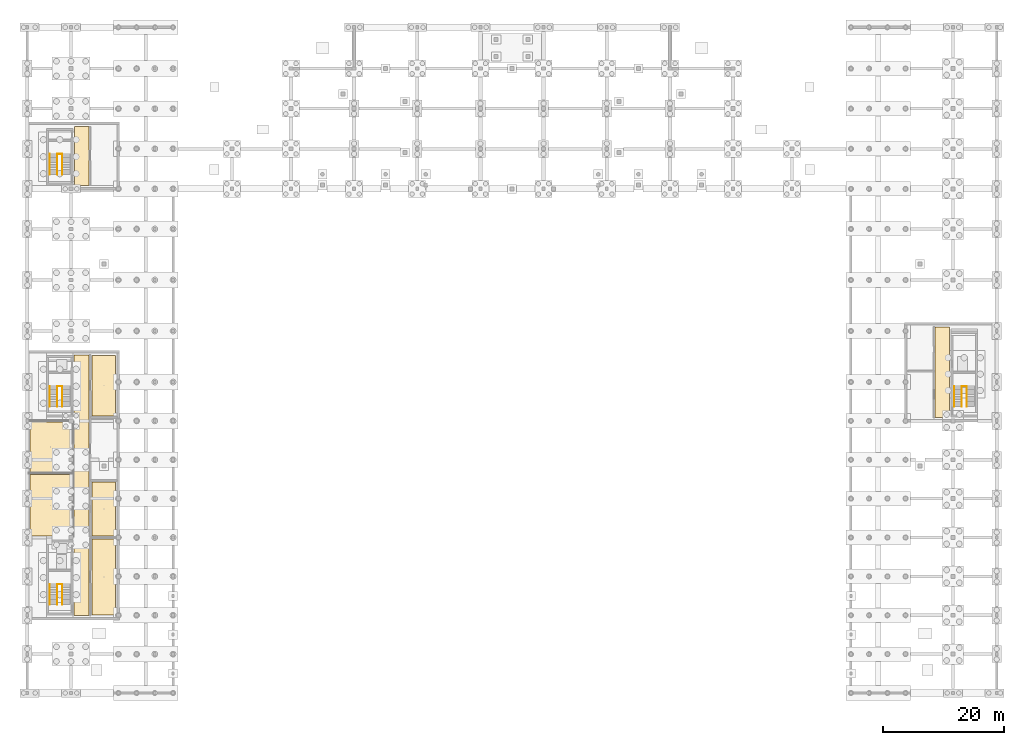
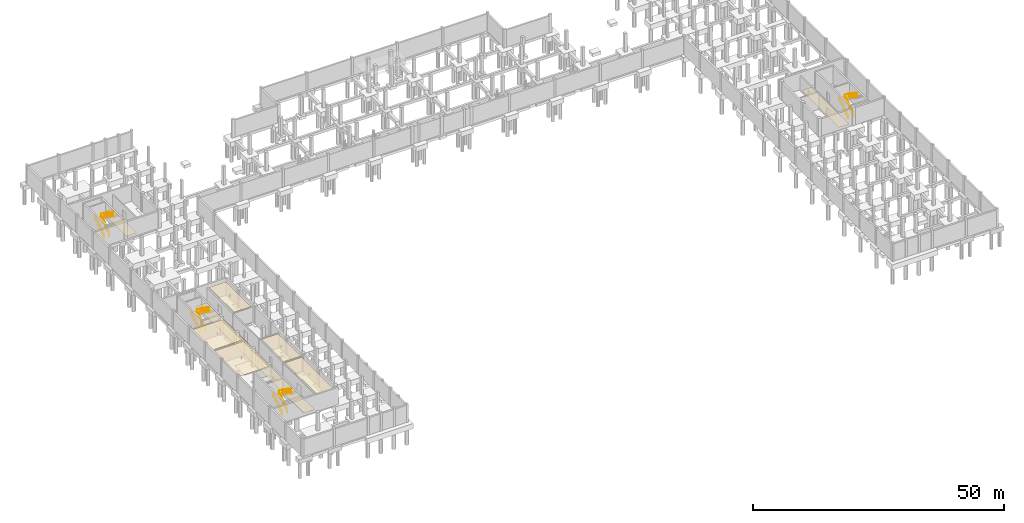
# One storey, part 20 of 21: 8 coverings, 8 railings.
"""IFC4 building model written with IfcOpenShell, lengths in metres."""

from ifc_helpers import new_model, si_unit, derived_unit, direction, frame, origin, origin_2d, place, context, subcontext, project, spatial, polyline, circle, outline, extrude, material, layer, layer_set, type_object, element, save


model = new_model("IFC4")

# Units and contexts
model_context = context("Model", 3, precision=1e-05, world=origin(), true_north=direction((0.0, 1.0)))
body_context = subcontext(model_context, "Body", "Model", "MODEL_VIEW")
ifc_project = project(units=[si_unit("LENGTHUNIT", "METRE"), si_unit("AREAUNIT", "SQUARE_METRE"), si_unit("VOLUMEUNIT", "CUBIC_METRE"), si_unit("PLANEANGLEUNIT", "RADIAN"), si_unit("MASSUNIT", "GRAM", prefix="KILO"), derived_unit("THERMALTRANSMITTANCEUNIT", [(si_unit("POWERUNIT", "WATT"), 1), (si_unit("LENGTHUNIT", "METRE"), -2), (si_unit("THERMODYNAMICTEMPERATUREUNIT", "KELVIN"), -1)])], contexts=[model_context])

# Site, building, storey
site_placement = place(None, origin())
site = spatial("IfcSite", under=ifc_project, at=site_placement, CompositionType="ELEMENT")
building_placement = place(site_placement, origin())
building = spatial("IfcBuilding", under=site, at=building_placement, Name="Braskholm Square Health Centre", CompositionType="ELEMENT")
storey_placement = place(building_placement, frame((0.0, 0.0, -4.5)))
storey = spatial("IfcBuildingStorey", under=building, at=storey_placement, Name="B01", CompositionType="ELEMENT", Elevation=-4.5)

# Coverings
ifc_material_1 = material(Name="Fire-rated gypsum board barrier")
ifc_layer_1 = layer(ifc_material_1, 0.02490234375)
ifc_layer_set_1 = layer_set([ifc_layer_1], Name="Fire-rated gypsum board barrier")
covering_type_1 = type_object("IfcCoveringType", Name="AcousticClinicalCeilingTile", PredefinedType="CEILING", material=ifc_layer_set_1)
covering_1_placement = place(storey_placement, frame((0.0, 0.0, 3.56494140625)))
element("IfcCovering", 1, at=covering_1_placement, inside=storey, type_object=covering_type_1, Name="Acoustic ceiling B01-002", PredefinedType="CEILING", context=body_context, shape_type="SweptSolid", body=[
    extrude(outline(polyline([(14.889892578125, 17.02001953125), (18.72998046875, 17.02001953125), (18.72998046875, 29.580078125), (14.889892578125, 29.580078125), (14.889892578125, 17.02001953125)])), origin(), (0.0, 0.0, 1.0), 0.025146484375),
])
covering_2_placement = place(storey_placement, frame((0.0, 0.0, 3.56494140625)))
element("IfcCovering", 2, at=covering_2_placement, inside=storey, type_object=covering_type_1, Name="Acoustic ceiling B01-003", PredefinedType="CEILING", context=body_context, shape_type="SweptSolid", body=[
    extrude(outline(polyline([(14.889892578125, 30.02001953125), (18.72998046875, 30.02001953125), (18.72998046875, 38.97998046875), (14.889892578125, 38.97998046875), (14.889892578125, 30.02001953125)])), origin(), (0.0, 0.0, 1.0), 0.025146484375),
])
covering_3_placement = place(storey_placement, frame((0.0, 0.0, 3.56494140625)))
element("IfcCovering", 3, at=covering_3_placement, inside=storey, type_object=covering_type_1, Name="Acoustic ceiling B01-005", PredefinedType="CEILING", context=body_context, shape_type="SweptSolid", body=[
    extrude(outline(polyline([(14.889892578125, 49.820068359375), (18.72998046875, 49.820068359375), (18.72998046875, 59.780029296875), (14.889892578125, 59.780029296875), (14.889892578125, 49.820068359375)])), origin(), (0.0, 0.0, 1.0), 0.025146484375),
])
covering_4_placement = place(storey_placement, frame((0.0, 0.0, 3.56494140625)))
element("IfcCovering", 4, at=covering_4_placement, inside=storey, type_object=covering_type_1, Name="Acoustic ceiling B01-006", PredefinedType="CEILING", context=body_context, shape_type="SweptSolid", body=[
    extrude(outline(polyline([(4.669921875, 30.02001953125), (11.409912109375, 30.02001953125), (11.409912109375, 40.179931640625), (4.669921875, 40.179931640625), (4.669921875, 30.02001953125)])), origin(), (0.0, 0.0, 1.0), 0.025146484375),
])
covering_5_placement = place(storey_placement, frame((0.0, 0.0, 3.56494140625)))
element("IfcCovering", 5, at=covering_5_placement, inside=storey, type_object=covering_type_1, Name="Acoustic ceiling B01-007", PredefinedType="CEILING", context=body_context, shape_type="SweptSolid", body=[
    extrude(outline(polyline([(4.669921875, 40.6201171875), (11.409912109375, 40.6201171875), (11.409912109375, 48.780029296875), (4.669921875, 48.780029296875), (4.669921875, 40.6201171875)])), origin(), (0.0, 0.0, 1.0), 0.025146484375),
])

# Railings
ifc_material_2 = material(Name="Dark patinated chevron architectural bronze", Category="aluminium")
railing_type_1 = type_object("IfcRailingType", Name="BronzeChevronGuardrail1100", PredefinedType="GUARDRAIL", material=ifc_material_2)
railing_1_placement = place(storey_placement, frame((9.1298828125, 18.760009765625, 0.0)))
element("IfcRailing", 6, at=railing_1_placement, inside=storey, type_object=railing_type_1, Name="Stair ST-01 inner well guardrail B01", PredefinedType="GUARDRAIL", context=body_context, shape_type="SweptSolid", body=[
    extrude(circle(Radius=0.02392578125, at=origin_2d()), frame((0.0, 0.0, 1.076171875), z_axis=(0.0, 0.830915400975, 0.556398774641), x_axis=(-1.0, 0.0, 0.0)), (0.0, 0.0, 1.0), 4.0439453125),
    extrude(circle(Radius=0.02392578125, at=origin_2d()), frame((0.0, 3.360107421875, 3.326171875), z_axis=(1.0, 0.0, 0.0), x_axis=(0.0, 1.0, 0.0)), (0.0, 0.0, 1.0), 0.840087890625),
    extrude(circle(Radius=0.02392578125, at=origin_2d()), frame((0.840087890625, 3.360107421875, 3.326171875), z_axis=(0.0, -0.830915400975, 0.556398774641), x_axis=(1.0, 0.0, 0.0)), (0.0, 0.0, 1.0), 4.0439453125),
    extrude(circle(Radius=0.02099609375, at=origin_2d()), origin(), (0.0, 0.0, 1.0), 1.052001953125),
    extrude(circle(Radius=0.02099609375, at=origin_2d()), frame((0.0, 0.840087890625, 0.5625)), (0.0, 0.0, 1.0), 1.052001953125),
    extrude(circle(Radius=0.02099609375, at=origin_2d()), frame((0.0, 1.68017578125, 1.125)), (0.0, 0.0, 1.0), 1.052001953125),
    extrude(circle(Radius=0.02099609375, at=origin_2d()), frame((0.0, 2.52001953125, 1.6875)), (0.0, 0.0, 1.0), 1.052001953125),
    extrude(circle(Radius=0.02099609375, at=origin_2d()), frame((0.0, 3.360107421875, 2.25)), (0.0, 0.0, 1.0), 1.052001953125),
    extrude(circle(Radius=0.02099609375, at=origin_2d()), frame((0.840087890625, 3.360107421875, 2.25)), (0.0, 0.0, 1.0), 1.052001953125),
    extrude(circle(Radius=0.02099609375, at=origin_2d()), frame((0.840087890625, 2.52001953125, 2.8125)), (0.0, 0.0, 1.0), 1.052001953125),
    extrude(circle(Radius=0.02099609375, at=origin_2d()), frame((0.840087890625, 1.68017578125, 3.375)), (0.0, 0.0, 1.0), 1.052001953125),
    extrude(circle(Radius=0.02099609375, at=origin_2d()), frame((0.840087890625, 0.840087890625, 3.9375)), (0.0, 0.0, 1.0), 1.052001953125),
    extrude(circle(Radius=0.02099609375, at=origin_2d()), frame((0.840087890625, 0.0, 4.5)), (0.0, 0.0, 1.0), 1.052001953125),
])
railing_2_placement = place(storey_placement, frame((9.1298828125, 51.360107421875, 0.0)))
element("IfcRailing", 7, at=railing_2_placement, inside=storey, type_object=railing_type_1, Name="Stair ST-02 inner well guardrail B01", PredefinedType="GUARDRAIL", context=body_context, shape_type="SweptSolid", body=[
    extrude(circle(Radius=0.02392578125, at=origin_2d()), frame((0.0, 0.0, 1.076171875), z_axis=(0.0, 0.830896709279, 0.556426687452), x_axis=(-1.0, 0.0, 0.0)), (0.0, 0.0, 1.0), 4.043701171875),
    extrude(circle(Radius=0.02392578125, at=origin_2d()), frame((0.0, 3.35986328125, 3.326171875), z_axis=(1.0, 0.0, 0.0), x_axis=(0.0, 1.0, 0.0)), (0.0, 0.0, 1.0), 0.840087890625),
    extrude(circle(Radius=0.02392578125, at=origin_2d()), frame((0.840087890625, 3.35986328125, 3.326171875), z_axis=(0.0, -0.830896709279, 0.556426687452), x_axis=(1.0, 0.0, 0.0)), (0.0, 0.0, 1.0), 4.043701171875),
    extrude(circle(Radius=0.02099609375, at=origin_2d()), origin(), (0.0, 0.0, 1.0), 1.052001953125),
    extrude(circle(Radius=0.02099609375, at=origin_2d()), frame((0.0, 0.83984375, 0.5625)), (0.0, 0.0, 1.0), 1.052001953125),
    extrude(circle(Radius=0.02099609375, at=origin_2d()), frame((0.0, 1.679931640625, 1.125)), (0.0, 0.0, 1.0), 1.052001953125),
    extrude(circle(Radius=0.02099609375, at=origin_2d()), frame((0.0, 2.52001953125, 1.6875)), (0.0, 0.0, 1.0), 1.052001953125),
    extrude(circle(Radius=0.02099609375, at=origin_2d()), frame((0.0, 3.35986328125, 2.25)), (0.0, 0.0, 1.0), 1.052001953125),
    extrude(circle(Radius=0.02099609375, at=origin_2d()), frame((0.840087890625, 3.35986328125, 2.25)), (0.0, 0.0, 1.0), 1.052001953125),
    extrude(circle(Radius=0.02099609375, at=origin_2d()), frame((0.840087890625, 2.52001953125, 2.8125)), (0.0, 0.0, 1.0), 1.052001953125),
    extrude(circle(Radius=0.02099609375, at=origin_2d()), frame((0.840087890625, 1.679931640625, 3.375)), (0.0, 0.0, 1.0), 1.052001953125),
    extrude(circle(Radius=0.02099609375, at=origin_2d()), frame((0.840087890625, 0.83984375, 3.9375)), (0.0, 0.0, 1.0), 1.052001953125),
    extrude(circle(Radius=0.02099609375, at=origin_2d()), frame((0.840087890625, 0.0, 4.5)), (0.0, 0.0, 1.0), 1.052001953125),
])
railing_3_placement = place(storey_placement, frame((9.1298828125, 89.56005859375, 0.0)))
element("IfcRailing", 8, at=railing_3_placement, inside=storey, type_object=railing_type_1, Name="Stair ST-03 inner well guardrail B01", PredefinedType="GUARDRAIL", context=body_context, shape_type="SweptSolid", body=[
    extrude(circle(Radius=0.02392578125, at=origin_2d()), frame((0.0, 0.0, 1.076171875), z_axis=(0.0, 0.830896709279, 0.556426687452), x_axis=(-1.0, 0.0, 0.0)), (0.0, 0.0, 1.0), 4.043701171875),
    extrude(circle(Radius=0.02392578125, at=origin_2d()), frame((0.0, 3.35986328125, 3.326171875), z_axis=(1.0, 0.0, 0.0), x_axis=(0.0, 1.0, 0.0)), (0.0, 0.0, 1.0), 0.840087890625),
    extrude(circle(Radius=0.02392578125, at=origin_2d()), frame((0.840087890625, 3.35986328125, 3.326171875), z_axis=(0.0, -0.830896709279, 0.556426687452), x_axis=(1.0, 0.0, 0.0)), (0.0, 0.0, 1.0), 4.043701171875),
    extrude(circle(Radius=0.02099609375, at=origin_2d()), origin(), (0.0, 0.0, 1.0), 1.052001953125),
    extrude(circle(Radius=0.02099609375, at=origin_2d()), frame((0.0, 0.83984375, 0.5625)), (0.0, 0.0, 1.0), 1.052001953125),
    extrude(circle(Radius=0.02099609375, at=origin_2d()), frame((0.0, 1.679931640625, 1.125)), (0.0, 0.0, 1.0), 1.052001953125),
    extrude(circle(Radius=0.02099609375, at=origin_2d()), frame((0.0, 2.52001953125, 1.6875)), (0.0, 0.0, 1.0), 1.052001953125),
    extrude(circle(Radius=0.02099609375, at=origin_2d()), frame((0.0, 3.35986328125, 2.25)), (0.0, 0.0, 1.0), 1.052001953125),
    extrude(circle(Radius=0.02099609375, at=origin_2d()), frame((0.840087890625, 3.35986328125, 2.25)), (0.0, 0.0, 1.0), 1.052001953125),
    extrude(circle(Radius=0.02099609375, at=origin_2d()), frame((0.840087890625, 2.52001953125, 2.8125)), (0.0, 0.0, 1.0), 1.052001953125),
    extrude(circle(Radius=0.02099609375, at=origin_2d()), frame((0.840087890625, 1.679931640625, 3.375)), (0.0, 0.0, 1.0), 1.052001953125),
    extrude(circle(Radius=0.02099609375, at=origin_2d()), frame((0.840087890625, 0.83984375, 3.9375)), (0.0, 0.0, 1.0), 1.052001953125),
    extrude(circle(Radius=0.02099609375, at=origin_2d()), frame((0.840087890625, 0.0, 4.5)), (0.0, 0.0, 1.0), 1.052001953125),
])
railing_4_placement = place(storey_placement, frame((158.030029296875, 51.360107421875, 0.0)))
element("IfcRailing", 9, at=railing_4_placement, inside=storey, type_object=railing_type_1, Name="Stair ST-04 inner well guardrail B01", PredefinedType="GUARDRAIL", context=body_context, shape_type="SweptSolid", body=[
    extrude(circle(Radius=0.02392578125, at=origin_2d()), frame((0.0, 0.0, 1.076171875), z_axis=(0.0, 0.830896709279, 0.556426687452), x_axis=(-1.0, 0.0, 0.0)), (0.0, 0.0, 1.0), 4.043701171875),
    extrude(circle(Radius=0.02392578125, at=origin_2d()), frame((0.0, 3.35986328125, 3.326171875), z_axis=(1.0, 0.0, 0.0), x_axis=(0.0, 1.0, 0.0)), (0.0, 0.0, 1.0), 0.840087890625),
    extrude(circle(Radius=0.02392578125, at=origin_2d()), frame((0.840087890625, 3.35986328125, 3.326171875), z_axis=(0.0, -0.830896709279, 0.556426687452), x_axis=(1.0, 0.0, 0.0)), (0.0, 0.0, 1.0), 4.043701171875),
    extrude(circle(Radius=0.02099609375, at=origin_2d()), origin(), (0.0, 0.0, 1.0), 1.052001953125),
    extrude(circle(Radius=0.02099609375, at=origin_2d()), frame((0.0, 0.83984375, 0.5625)), (0.0, 0.0, 1.0), 1.052001953125),
    extrude(circle(Radius=0.02099609375, at=origin_2d()), frame((0.0, 1.679931640625, 1.125)), (0.0, 0.0, 1.0), 1.052001953125),
    extrude(circle(Radius=0.02099609375, at=origin_2d()), frame((0.0, 2.52001953125, 1.6875)), (0.0, 0.0, 1.0), 1.052001953125),
    extrude(circle(Radius=0.02099609375, at=origin_2d()), frame((0.0, 3.35986328125, 2.25)), (0.0, 0.0, 1.0), 1.052001953125),
    extrude(circle(Radius=0.02099609375, at=origin_2d()), frame((0.840087890625, 3.35986328125, 2.25)), (0.0, 0.0, 1.0), 1.052001953125),
    extrude(circle(Radius=0.02099609375, at=origin_2d()), frame((0.840087890625, 2.52001953125, 2.8125)), (0.0, 0.0, 1.0), 1.052001953125),
    extrude(circle(Radius=0.02099609375, at=origin_2d()), frame((0.840087890625, 1.679931640625, 3.375)), (0.0, 0.0, 1.0), 1.052001953125),
    extrude(circle(Radius=0.02099609375, at=origin_2d()), frame((0.840087890625, 0.83984375, 3.9375)), (0.0, 0.0, 1.0), 1.052001953125),
    extrude(circle(Radius=0.02099609375, at=origin_2d()), frame((0.840087890625, 0.0, 4.5)), (0.0, 0.0, 1.0), 1.052001953125),
])

# Coverings
ifc_material_3 = material(Name="Polished geometric terrazzo flooring", Category="masonry")
ifc_layer_2 = layer(ifc_material_3, 0.02001953125)
ifc_layer_set_2 = layer_set([ifc_layer_2], Name="Polished geometric terrazzo flooring")
covering_type_2 = type_object("IfcCoveringType", Name="PolishedTerrazzoFloorFinish", PredefinedType="FLOORING", material=ifc_layer_set_2)
covering_6_placement = place(storey_placement, origin())
element("IfcCovering", 10, at=covering_6_placement, inside=storey, type_object=covering_type_2, Name="Polished terrazzo floor B01-001", PredefinedType="FLOORING", context=body_context, shape_type="SweptSolid", body=[
    extrude(outline(polyline([(11.89990234375, 16.949951171875), (14.39990234375, 16.949951171875), (14.39990234375, 59.85009765625), (11.89990234375, 59.85009765625), (11.89990234375, 16.949951171875)])), origin(), (0.0, 0.0, 1.0), 0.02001953125),
])
covering_7_placement = place(storey_placement, origin())
element("IfcCovering", 11, at=covering_7_placement, inside=storey, type_object=covering_type_2, Name="Polished terrazzo floor B01-008", PredefinedType="FLOORING", context=body_context, shape_type="SweptSolid", body=[
    extrude(outline(polyline([(11.949951171875, 87.75), (14.35009765625, 87.75), (14.35009765625, 97.449951171875), (11.949951171875, 97.449951171875), (11.949951171875, 87.75)])), origin(), (0.0, 0.0, 1.0), 0.02001953125),
])
covering_8_placement = place(storey_placement, origin())
element("IfcCovering", 12, at=covering_8_placement, inside=storey, type_object=covering_type_2, Name="Polished terrazzo floor B01-010", PredefinedType="FLOORING", context=body_context, shape_type="SweptSolid", body=[
    extrude(outline(polyline([(153.64990234375, 49.550048828125), (156.050048828125, 49.550048828125), (156.050048828125, 64.449951171875), (153.64990234375, 64.449951171875), (153.64990234375, 49.550048828125)])), origin(), (0.0, 0.0, 1.0), 0.02001953125),
])

# Railings
railing_type_2 = type_object("IfcRailingType", Name="StairTubularHandrail915", PredefinedType="HANDRAIL", material=ifc_material_2)
railing_5_placement = place(storey_placement, frame((7.89990234375, 18.760009765625, 0.0)))
element("IfcRailing", 13, at=railing_5_placement, inside=storey, type_object=railing_type_2, Name="Stair ST-01 wall handrail F1 B01", PredefinedType="HANDRAIL", context=body_context, shape_type="SweptSolid", body=[
    extrude(circle(Radius=0.02392578125, at=origin_2d()), frame((0.0, 0.0, 0.89111328125), z_axis=(0.0, 0.830915400975, 0.556398774641), x_axis=(-1.0, 0.0, 0.0)), (0.0, 0.0, 1.0), 4.0439453125),
    extrude(circle(Radius=0.02099609375, at=origin_2d()), origin(), (0.0, 0.0, 1.0), 0.866943359375),
    extrude(circle(Radius=0.02099609375, at=origin_2d()), frame((0.0, 0.840087890625, 0.5625)), (0.0, 0.0, 1.0), 0.866943359375),
    extrude(circle(Radius=0.02099609375, at=origin_2d()), frame((0.0, 1.68017578125, 1.125)), (0.0, 0.0, 1.0), 0.866943359375),
    extrude(circle(Radius=0.02099609375, at=origin_2d()), frame((0.0, 2.52001953125, 1.6875)), (0.0, 0.0, 1.0), 0.866943359375),
    extrude(circle(Radius=0.02099609375, at=origin_2d()), frame((0.0, 3.360107421875, 2.25)), (0.0, 0.0, 1.0), 0.866943359375),
])
for number, where, name in (
    (14, (7.89990234375, 51.360107421875, 0.0), "Stair ST-02 wall handrail F1 B01"),
    (15, (7.89990234375, 89.56005859375, 0.0), "Stair ST-03 wall handrail F1 B01"),
    (16, (156.800048828125, 51.360107421875, 0.0), "Stair ST-04 wall handrail F1 B01"),
):
    element("IfcRailing", number, at=place(storey_placement, frame(where)), inside=storey, type_object=railing_type_2, Name=name, PredefinedType="HANDRAIL", context=body_context, shape_type="SweptSolid", body=[
        extrude(circle(Radius=0.02392578125, at=origin_2d()), frame((0.0, 0.0, 0.89111328125), z_axis=(0.0, 0.830896709279, 0.556426687452), x_axis=(-1.0, 0.0, 0.0)), (0.0, 0.0, 1.0), 4.043701171875),
        extrude(circle(Radius=0.02099609375, at=origin_2d()), origin(), (0.0, 0.0, 1.0), 0.866943359375),
        extrude(circle(Radius=0.02099609375, at=origin_2d()), frame((0.0, 0.83984375, 0.5625)), (0.0, 0.0, 1.0), 0.866943359375),
        extrude(circle(Radius=0.02099609375, at=origin_2d()), frame((0.0, 1.679931640625, 1.125)), (0.0, 0.0, 1.0), 0.866943359375),
        extrude(circle(Radius=0.02099609375, at=origin_2d()), frame((0.0, 2.52001953125, 1.6875)), (0.0, 0.0, 1.0), 0.866943359375),
        extrude(circle(Radius=0.02099609375, at=origin_2d()), frame((0.0, 3.35986328125, 2.25)), (0.0, 0.0, 1.0), 0.866943359375),
    ])

save(model, "model.ifc")
